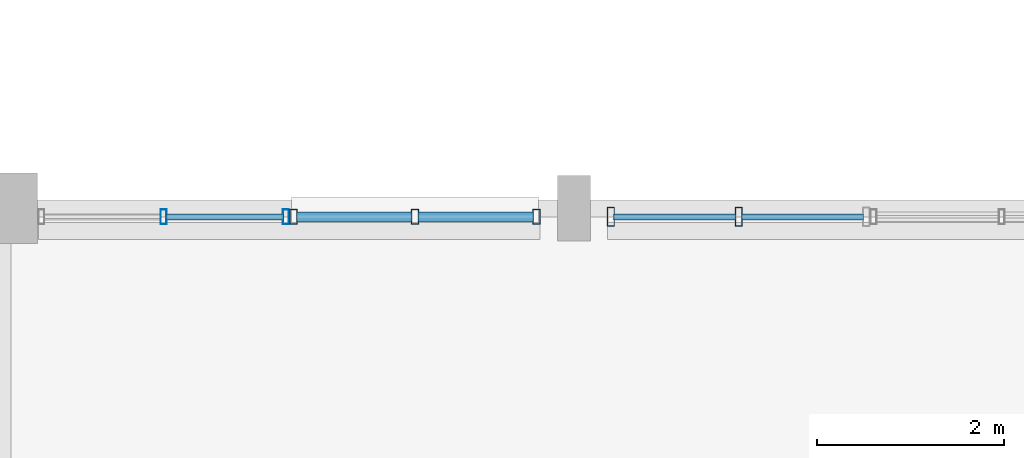
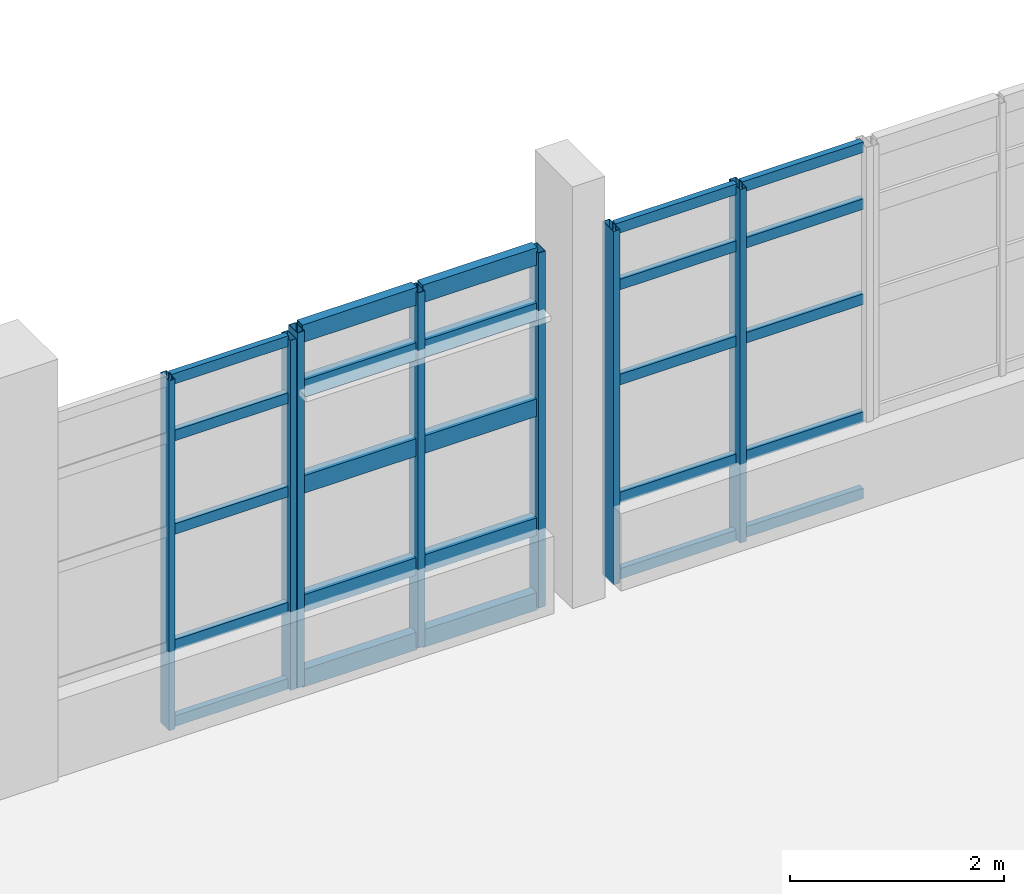
# One storey, part 75 of 127: 32 members, 3 elements without a shape of their own.
"""IFC4 building model written with IfcOpenShell, lengths in metres."""

from ifc_helpers import new_model, si_unit, derived_unit, direction, frame, origin, origin_2d, place, context, subcontext, project, spatial, hollow_rectangle, extrude, material, layer, layer_set, material_profile, profile_set, type_object, element, aggregate, save


model = new_model("IFC4")

# Units and contexts
model_context = context("Model", 3, precision=1e-05, world=origin(), true_north=direction((0.0, 1.0)))
body_context = subcontext(model_context, "Body", "Model", "MODEL_VIEW")
ifc_project = project(units=[si_unit("LENGTHUNIT", "METRE"), si_unit("AREAUNIT", "SQUARE_METRE"), si_unit("VOLUMEUNIT", "CUBIC_METRE"), si_unit("PLANEANGLEUNIT", "RADIAN"), si_unit("MASSUNIT", "GRAM", prefix="KILO"), derived_unit("THERMALTRANSMITTANCEUNIT", [(si_unit("POWERUNIT", "WATT"), 1), (si_unit("LENGTHUNIT", "METRE"), -2), (si_unit("THERMODYNAMICTEMPERATUREUNIT", "KELVIN"), -1)])], contexts=[model_context])

# Site, building, storey
site_placement = place(None, origin())
site = spatial("IfcSite", under=ifc_project, at=site_placement, CompositionType="ELEMENT")
building_placement = place(site_placement, origin())
building = spatial("IfcBuilding", under=site, at=building_placement, Name="Nallur Shell Playhouse", CompositionType="ELEMENT")
storey_placement = place(building_placement, frame((0.0, 0.0, 5.39990234375)))
storey = spatial("IfcBuildingStorey", under=building, at=storey_placement, Name="L02", CompositionType="ELEMENT", Elevation=5.39990234375)

# Curtain wall, members
ifc_material_1 = material(Name="Anodised Aluminium Double-Glazed Facade System", Category="aluminium")
ifc_layer_1 = layer(ifc_material_1, 0.16796875)
ifc_layer_set_1 = layer_set([ifc_layer_1], Name="Anodised Aluminium Double-Glazed Facade System")
curtain_wall_type_1 = type_object("IfcCurtainWallType", Name="CW-UNIT-32", PredefinedType="NOTDEFINED", material=ifc_layer_set_1)
curtain_wall_1_placement = place(storey_placement, origin())
curtain_wall_1 = element("IfcCurtainWall", 1, at=curtain_wall_1_placement, inside=storey, type_object=curtain_wall_type_1, Name="Unitised curtain wall CW-032 (L02)", PredefinedType="NOTDEFINED")
ifc_material_2 = material(Name="Aluminium Alloy 6063-T6 Mullion", Category="aluminium")
ifc_material_profile_1 = material_profile(ifc_material_2, hollow_rectangle(XDim=0.080078125, YDim=0.159912109375, WallThickness=0.006103515625, at=origin_2d()), Name="RHS 160x80x6")
ifc_profile_set_1 = profile_set([ifc_material_profile_1], Name="Aluminium Alloy 6063-T6 Mullion")
member_type_1 = type_object("IfcMemberType", Name="MB-CW-MUL150", PredefinedType="MULLION", material=ifc_profile_set_1)
member_1_placement = place(storey_placement, frame((138.507568359375, 55.909912109375, -0.014892578125), z_axis=(0.0, 0.0, 1.0), x_axis=(1.0, 0.0, 0.0)))
member_1 = element("IfcMember", 2, at=member_1_placement, type_object=member_type_1, Name="CW-32 mullion 1", PredefinedType="MULLION", context=body_context, shape_type="SweptSolid", body=[
    extrude(hollow_rectangle(XDim=0.080078125, YDim=0.159912109375, WallThickness=0.006103515625, at=origin_2d()), origin(), (0.0, 0.0, 1.0), 4.0439453125),
])
member_2_placement = place(storey_placement, frame((139.8046875, 55.909912109375, -0.014892578125), z_axis=(0.0, 0.0, 1.0), x_axis=(1.0, 0.0, 0.0)))
member_2 = element("IfcMember", 3, at=member_2_placement, type_object=member_type_1, Name="CW-32 mullion 2", PredefinedType="MULLION", context=body_context, shape_type="SweptSolid", body=[
    extrude(hollow_rectangle(XDim=0.080078125, YDim=0.159912109375, WallThickness=0.006103515625, at=origin_2d()), origin(), (0.0, 0.0, 1.0), 4.0439453125),
])
member_3_placement = place(storey_placement, frame((141.10205078125, 55.909912109375, -0.014892578125), z_axis=(0.0, 0.0, 1.0), x_axis=(1.0, 0.0, 0.0)))
member_3 = element("IfcMember", 4, at=member_3_placement, type_object=member_type_1, Name="CW-32 mullion 3", PredefinedType="MULLION", context=body_context, shape_type="SweptSolid", body=[
    extrude(hollow_rectangle(XDim=0.080078125, YDim=0.159912109375, WallThickness=0.006103515625, at=origin_2d()), origin(), (0.0, 0.0, 1.0), 4.0439453125),
])

ifc_layer_2 = layer(ifc_material_1, 0.1640625)
ifc_layer_set_2 = layer_set([ifc_layer_2], Name="Anodised Aluminium Double-Glazed Facade System")
curtain_wall_type_2 = type_object("IfcCurtainWallType", Name="CW-UNIT-31", PredefinedType="NOTDEFINED", material=ifc_layer_set_2)
curtain_wall_2_placement = place(storey_placement, origin())
curtain_wall_2 = element("IfcCurtainWall", 5, at=curtain_wall_2_placement, inside=storey, type_object=curtain_wall_type_2, Name="Unitised curtain wall CW-031 (L02)", PredefinedType="NOTDEFINED")
ifc_material_profile_2 = material_profile(ifc_material_2, hollow_rectangle(XDim=0.06494140625, YDim=0.159912109375, WallThickness=0.00390625, at=origin_2d()), Name="ALU 65x160x4")
ifc_profile_set_2 = profile_set([ifc_material_profile_2], Name="Aluminium Alloy 6063-T6 Mullion")
member_type_2 = type_object("IfcMemberType", Name="MB-CW-MUL160", PredefinedType="MULLION", material=ifc_profile_set_2)
member_4_placement = place(storey_placement, frame((137.120361328125, 55.909912109375, -0.014892578125), z_axis=(0.0, 0.0, 1.0), x_axis=(1.0, 0.0, 0.0)))
member_4 = element("IfcMember", 6, at=member_4_placement, type_object=member_type_2, Name="CW-31 mullion 2", PredefinedType="MULLION", context=body_context, shape_type="SweptSolid", body=[
    extrude(hollow_rectangle(XDim=0.06494140625, YDim=0.159912109375, WallThickness=0.00390625, at=origin_2d()), origin(), (0.0, 0.0, 1.0), 3.98388671875),
])
member_5_placement = place(storey_placement, frame((138.425048828125, 55.909912109375, -0.014892578125), z_axis=(0.0, 0.0, 1.0), x_axis=(1.0, 0.0, 0.0)))
member_5 = element("IfcMember", 7, at=member_5_placement, type_object=member_type_2, Name="CW-31 mullion 3", PredefinedType="MULLION", context=body_context, shape_type="SweptSolid", body=[
    extrude(hollow_rectangle(XDim=0.06494140625, YDim=0.159912109375, WallThickness=0.00390625, at=origin_2d()), origin(), (0.0, 0.0, 1.0), 3.98388671875),
])

ifc_layer_3 = layer(ifc_material_1, 0.1640625)
ifc_layer_set_3 = layer_set([ifc_layer_3], Name="Anodised Aluminium Double-Glazed Facade System")
curtain_wall_type_3 = type_object("IfcCurtainWallType", Name="CW-UNIT-01", PredefinedType="NOTDEFINED", material=ifc_layer_set_3)
curtain_wall_3_placement = place(storey_placement, origin())
curtain_wall_3 = element("IfcCurtainWall", 8, at=curtain_wall_3_placement, inside=storey, type_object=curtain_wall_type_3, Name="Unitised curtain wall CW-033 (L02)", PredefinedType="NOTDEFINED")
ifc_material_profile_3 = material_profile(ifc_material_2, hollow_rectangle(XDim=0.074951171875, YDim=0.199951171875, WallThickness=0.0048828125, at=origin_2d()), Name="ALU 75x200x5")
ifc_profile_set_3 = profile_set([ifc_material_profile_3], Name="Aluminium Alloy 6063-T6 Mullion")
member_type_3 = type_object("IfcMemberType", Name="MB-CW-MUL180", PredefinedType="MULLION", material=ifc_profile_set_3)
member_6_placement = place(storey_placement, frame((141.8955078125, 55.909912109375, -0.014892578125), z_axis=(0.0, 0.0, 1.0), x_axis=(1.0, 0.0, 0.0)))
member_6 = element("IfcMember", 9, at=member_6_placement, type_object=member_type_3, Name="CW-01 mullion 1", PredefinedType="MULLION", context=body_context, shape_type="SweptSolid", body=[
    extrude(hollow_rectangle(XDim=0.074951171875, YDim=0.199951171875, WallThickness=0.0048828125, at=origin_2d()), origin(), (0.0, 0.0, 1.0), 4.02392578125),
])
member_7_placement = place(storey_placement, frame((143.2578125, 55.909912109375, -0.014892578125), z_axis=(0.0, 0.0, 1.0), x_axis=(1.0, 0.0, 0.0)))
member_7 = element("IfcMember", 10, at=member_7_placement, type_object=member_type_3, Name="CW-01 mullion 2", PredefinedType="MULLION", context=body_context, shape_type="SweptSolid", body=[
    extrude(hollow_rectangle(XDim=0.074951171875, YDim=0.199951171875, WallThickness=0.0048828125, at=origin_2d()), origin(), (0.0, 0.0, 1.0), 4.02392578125),
])

# Member
ifc_material_3 = material(Name="Aluminium Alloy 6063-T6 Transom", Category="aluminium")
ifc_material_profile_4 = material_profile(ifc_material_3, hollow_rectangle(XDim=0.06494140625, YDim=0.1201171875, WallThickness=0.00390625, at=origin_2d()), Name="ALU 65x120x4")
ifc_profile_set_4 = profile_set([ifc_material_profile_4], Name="Aluminium Alloy 6063-T6 Transom")
member_type_4 = type_object("IfcMemberType", Name="MB-CW-TRN120", PredefinedType="USERDEFINED", material=ifc_profile_set_4)
member_8_placement = place(storey_placement, frame((137.144775390625, 55.909912109375, 0.03271484375), z_axis=(1.0, 0.0, 0.0), x_axis=(0.0, 1.0, 0.0)))
member_8 = element("IfcMember", 11, at=member_8_placement, type_object=member_type_4, Name="CW-31 transom 2.1", ObjectType="TRANSOM", PredefinedType="USERDEFINED", context=body_context, shape_type="SweptSolid", body=[
    extrude(hollow_rectangle(XDim=0.06494140625, YDim=0.1201171875, WallThickness=0.00390625, at=origin_2d()), origin(), (0.0, 0.0, 1.0), 1.255615234375),
])

member_9_placement = place(storey_placement, frame((137.144775390625, 55.909912109375, 0.900146484375), z_axis=(1.0, 0.0, 0.0), x_axis=(0.0, 1.0, 0.0)))
member_9 = element("IfcMember", 12, at=member_9_placement, type_object=member_type_4, Name="CW-31 transom 2.2", ObjectType="TRANSOM", PredefinedType="USERDEFINED", context=body_context, shape_type="SweptSolid", body=[
    extrude(hollow_rectangle(XDim=0.06494140625, YDim=0.1201171875, WallThickness=0.00390625, at=origin_2d()), origin(), (0.0, 0.0, 1.0), 1.255615234375),
])

member_10_placement = place(storey_placement, frame((137.144775390625, 55.909912109375, 2.22021484375), z_axis=(1.0, 0.0, 0.0), x_axis=(0.0, 1.0, 0.0)))
member_10 = element("IfcMember", 13, at=member_10_placement, type_object=member_type_4, Name="CW-31 transom 2.3", ObjectType="TRANSOM", PredefinedType="USERDEFINED", context=body_context, shape_type="SweptSolid", body=[
    extrude(hollow_rectangle(XDim=0.06494140625, YDim=0.1201171875, WallThickness=0.00390625, at=origin_2d()), origin(), (0.0, 0.0, 1.0), 1.255615234375),
])

member_11_placement = place(storey_placement, frame((137.144775390625, 55.909912109375, 3.28515625), z_axis=(1.0, 0.0, 0.0), x_axis=(0.0, 1.0, 0.0)))
member_11 = element("IfcMember", 14, at=member_11_placement, type_object=member_type_4, Name="CW-31 transom 2.4", ObjectType="TRANSOM", PredefinedType="USERDEFINED", context=body_context, shape_type="SweptSolid", body=[
    extrude(hollow_rectangle(XDim=0.06494140625, YDim=0.1201171875, WallThickness=0.00390625, at=origin_2d()), origin(), (0.0, 0.0, 1.0), 1.255615234375),
])

member_12_placement = place(storey_placement, frame((137.144775390625, 55.909912109375, 3.9326171875), z_axis=(1.0, 0.0, 0.0), x_axis=(0.0, 1.0, 0.0)))
member_12 = element("IfcMember", 15, at=member_12_placement, type_object=member_type_4, Name="CW-31 transom 2.5", ObjectType="TRANSOM", PredefinedType="USERDEFINED", context=body_context, shape_type="SweptSolid", body=[
    extrude(hollow_rectangle(XDim=0.06494140625, YDim=0.1201171875, WallThickness=0.00390625, at=origin_2d()), origin(), (0.0, 0.0, 1.0), 1.255615234375),
])

aggregate(curtain_wall_2, [member_4, member_5, member_8, member_9, member_10, member_11, member_12])

member_13_placement = place(storey_placement, frame((141.925048828125, 55.909912109375, 0.03271484375), z_axis=(1.0, 0.0, 0.0), x_axis=(0.0, 1.0, 0.0)))
member_13 = element("IfcMember", 16, at=member_13_placement, type_object=member_type_4, Name="CW-01 transom 1.1", ObjectType="TRANSOM", PredefinedType="USERDEFINED", context=body_context, shape_type="SweptSolid", body=[
    extrude(hollow_rectangle(XDim=0.06494140625, YDim=0.1201171875, WallThickness=0.00390625, at=origin_2d()), origin(), (0.0, 0.0, 1.0), 1.30322265625),
])

member_14_placement = place(storey_placement, frame((141.925048828125, 55.909912109375, 0.900146484375), z_axis=(1.0, 0.0, 0.0), x_axis=(0.0, 1.0, 0.0)))
member_14 = element("IfcMember", 17, at=member_14_placement, type_object=member_type_4, Name="CW-01 transom 1.2", ObjectType="TRANSOM", PredefinedType="USERDEFINED", context=body_context, shape_type="SweptSolid", body=[
    extrude(hollow_rectangle(XDim=0.06494140625, YDim=0.1201171875, WallThickness=0.00390625, at=origin_2d()), origin(), (0.0, 0.0, 1.0), 1.30322265625),
])

member_15_placement = place(storey_placement, frame((141.925048828125, 55.909912109375, 2.2431640625), z_axis=(1.0, 0.0, 0.0), x_axis=(0.0, 1.0, 0.0)))
member_15 = element("IfcMember", 18, at=member_15_placement, type_object=member_type_4, Name="CW-01 transom 1.3", ObjectType="TRANSOM", PredefinedType="USERDEFINED", context=body_context, shape_type="SweptSolid", body=[
    extrude(hollow_rectangle(XDim=0.06494140625, YDim=0.1201171875, WallThickness=0.00390625, at=origin_2d()), origin(), (0.0, 0.0, 1.0), 1.30322265625),
])

member_16_placement = place(storey_placement, frame((141.925048828125, 55.909912109375, 3.3251953125), z_axis=(1.0, 0.0, 0.0), x_axis=(0.0, 1.0, 0.0)))
member_16 = element("IfcMember", 19, at=member_16_placement, type_object=member_type_4, Name="CW-01 transom 1.4", ObjectType="TRANSOM", PredefinedType="USERDEFINED", context=body_context, shape_type="SweptSolid", body=[
    extrude(hollow_rectangle(XDim=0.06494140625, YDim=0.1201171875, WallThickness=0.00390625, at=origin_2d()), origin(), (0.0, 0.0, 1.0), 1.30322265625),
])

member_17_placement = place(storey_placement, frame((141.925048828125, 55.909912109375, 3.97265625), z_axis=(1.0, 0.0, 0.0), x_axis=(0.0, 1.0, 0.0)))
member_17 = element("IfcMember", 20, at=member_17_placement, type_object=member_type_4, Name="CW-01 transom 1.5", ObjectType="TRANSOM", PredefinedType="USERDEFINED", context=body_context, shape_type="SweptSolid", body=[
    extrude(hollow_rectangle(XDim=0.06494140625, YDim=0.1201171875, WallThickness=0.00390625, at=origin_2d()), origin(), (0.0, 0.0, 1.0), 1.30322265625),
])

member_18_placement = place(storey_placement, frame((143.287353515625, 55.909912109375, 0.03271484375), z_axis=(1.0, 0.0, 0.0), x_axis=(0.0, 1.0, 0.0)))
member_18 = element("IfcMember", 21, at=member_18_placement, type_object=member_type_4, Name="CW-01 transom 2.1", ObjectType="TRANSOM", PredefinedType="USERDEFINED", context=body_context, shape_type="SweptSolid", body=[
    extrude(hollow_rectangle(XDim=0.06494140625, YDim=0.1201171875, WallThickness=0.00390625, at=origin_2d()), origin(), (0.0, 0.0, 1.0), 1.30322265625),
])

member_19_placement = place(storey_placement, frame((143.287353515625, 55.909912109375, 0.900146484375), z_axis=(1.0, 0.0, 0.0), x_axis=(0.0, 1.0, 0.0)))
member_19 = element("IfcMember", 22, at=member_19_placement, type_object=member_type_4, Name="CW-01 transom 2.2", ObjectType="TRANSOM", PredefinedType="USERDEFINED", context=body_context, shape_type="SweptSolid", body=[
    extrude(hollow_rectangle(XDim=0.06494140625, YDim=0.1201171875, WallThickness=0.00390625, at=origin_2d()), origin(), (0.0, 0.0, 1.0), 1.30322265625),
])

member_20_placement = place(storey_placement, frame((143.287353515625, 55.909912109375, 2.2431640625), z_axis=(1.0, 0.0, 0.0), x_axis=(0.0, 1.0, 0.0)))
member_20 = element("IfcMember", 23, at=member_20_placement, type_object=member_type_4, Name="CW-01 transom 2.3", ObjectType="TRANSOM", PredefinedType="USERDEFINED", context=body_context, shape_type="SweptSolid", body=[
    extrude(hollow_rectangle(XDim=0.06494140625, YDim=0.1201171875, WallThickness=0.00390625, at=origin_2d()), origin(), (0.0, 0.0, 1.0), 1.30322265625),
])

member_21_placement = place(storey_placement, frame((143.287353515625, 55.909912109375, 3.3251953125), z_axis=(1.0, 0.0, 0.0), x_axis=(0.0, 1.0, 0.0)))
member_21 = element("IfcMember", 24, at=member_21_placement, type_object=member_type_4, Name="CW-01 transom 2.4", ObjectType="TRANSOM", PredefinedType="USERDEFINED", context=body_context, shape_type="SweptSolid", body=[
    extrude(hollow_rectangle(XDim=0.06494140625, YDim=0.1201171875, WallThickness=0.00390625, at=origin_2d()), origin(), (0.0, 0.0, 1.0), 1.30322265625),
])

member_22_placement = place(storey_placement, frame((143.287353515625, 55.909912109375, 3.97265625), z_axis=(1.0, 0.0, 0.0), x_axis=(0.0, 1.0, 0.0)))
member_22 = element("IfcMember", 25, at=member_22_placement, type_object=member_type_4, Name="CW-01 transom 2.5", ObjectType="TRANSOM", PredefinedType="USERDEFINED", context=body_context, shape_type="SweptSolid", body=[
    extrude(hollow_rectangle(XDim=0.06494140625, YDim=0.1201171875, WallThickness=0.00390625, at=origin_2d()), origin(), (0.0, 0.0, 1.0), 1.30322265625),
])

aggregate(curtain_wall_3, [member_6, member_7, member_13, member_14, member_15, member_16, member_17, member_18, member_19, member_20, member_21, member_22])

ifc_material_profile_5 = material_profile(ifc_material_3, hollow_rectangle(XDim=0.10009765625, YDim=0.199951171875, WallThickness=0.008056640625, at=origin_2d()), Name="RHS 200x100x8")
ifc_profile_set_5 = profile_set([ifc_material_profile_5], Name="Aluminium Alloy 6063-T6 Transom")
member_type_5 = type_object("IfcMemberType", Name="MB-CW-TRN140", PredefinedType="USERDEFINED", material=ifc_profile_set_5)
member_23_placement = place(storey_placement, frame((138.53955078125, 55.909912109375, 0.050048828125), z_axis=(1.0, 0.0, 0.0), x_axis=(0.0, 1.0, 0.0)))
member_23 = element("IfcMember", 26, at=member_23_placement, type_object=member_type_5, Name="CW-32 transom 1.1", ObjectType="TRANSOM", PredefinedType="USERDEFINED", context=body_context, shape_type="SweptSolid", body=[
    extrude(hollow_rectangle(XDim=0.10009765625, YDim=0.199951171875, WallThickness=0.008056640625, at=origin_2d()), origin(), (0.0, 0.0, 1.0), 1.233154296875),
])

member_24_placement = place(storey_placement, frame((138.53955078125, 55.909912109375, 0.900146484375), z_axis=(1.0, 0.0, 0.0), x_axis=(0.0, 1.0, 0.0)))
member_24 = element("IfcMember", 27, at=member_24_placement, type_object=member_type_5, Name="CW-32 transom 1.2", ObjectType="TRANSOM", PredefinedType="USERDEFINED", context=body_context, shape_type="SweptSolid", body=[
    extrude(hollow_rectangle(XDim=0.10009765625, YDim=0.199951171875, WallThickness=0.008056640625, at=origin_2d()), origin(), (0.0, 0.0, 1.0), 1.233154296875),
])

member_25_placement = place(storey_placement, frame((138.53955078125, 55.909912109375, 2.254150390625), z_axis=(1.0, 0.0, 0.0), x_axis=(0.0, 1.0, 0.0)))
member_25 = element("IfcMember", 28, at=member_25_placement, type_object=member_type_5, Name="CW-32 transom 1.3", ObjectType="TRANSOM", PredefinedType="USERDEFINED", context=body_context, shape_type="SweptSolid", body=[
    extrude(hollow_rectangle(XDim=0.10009765625, YDim=0.199951171875, WallThickness=0.008056640625, at=origin_2d()), origin(), (0.0, 0.0, 1.0), 1.233154296875),
])

member_26_placement = place(storey_placement, frame((138.53955078125, 55.909912109375, 3.34521484375), z_axis=(1.0, 0.0, 0.0), x_axis=(0.0, 1.0, 0.0)))
member_26 = element("IfcMember", 29, at=member_26_placement, type_object=member_type_5, Name="CW-32 transom 1.4", ObjectType="TRANSOM", PredefinedType="USERDEFINED", context=body_context, shape_type="SweptSolid", body=[
    extrude(hollow_rectangle(XDim=0.10009765625, YDim=0.199951171875, WallThickness=0.008056640625, at=origin_2d()), origin(), (0.0, 0.0, 1.0), 1.233154296875),
])

member_27_placement = place(storey_placement, frame((138.53955078125, 55.909912109375, 3.97509765625), z_axis=(1.0, 0.0, 0.0), x_axis=(0.0, 1.0, 0.0)))
member_27 = element("IfcMember", 30, at=member_27_placement, type_object=member_type_5, Name="CW-32 transom 1.5", ObjectType="TRANSOM", PredefinedType="USERDEFINED", context=body_context, shape_type="SweptSolid", body=[
    extrude(hollow_rectangle(XDim=0.10009765625, YDim=0.199951171875, WallThickness=0.008056640625, at=origin_2d()), origin(), (0.0, 0.0, 1.0), 1.233154296875),
])

member_28_placement = place(storey_placement, frame((139.836669921875, 55.909912109375, 0.050048828125), z_axis=(1.0, 0.0, 0.0), x_axis=(0.0, 1.0, 0.0)))
member_28 = element("IfcMember", 31, at=member_28_placement, type_object=member_type_5, Name="CW-32 transom 2.1", ObjectType="TRANSOM", PredefinedType="USERDEFINED", context=body_context, shape_type="SweptSolid", body=[
    extrude(hollow_rectangle(XDim=0.10009765625, YDim=0.199951171875, WallThickness=0.008056640625, at=origin_2d()), origin(), (0.0, 0.0, 1.0), 1.2333984375),
])

member_29_placement = place(storey_placement, frame((139.836669921875, 55.909912109375, 0.900146484375), z_axis=(1.0, 0.0, 0.0), x_axis=(0.0, 1.0, 0.0)))
member_29 = element("IfcMember", 32, at=member_29_placement, type_object=member_type_5, Name="CW-32 transom 2.2", ObjectType="TRANSOM", PredefinedType="USERDEFINED", context=body_context, shape_type="SweptSolid", body=[
    extrude(hollow_rectangle(XDim=0.10009765625, YDim=0.199951171875, WallThickness=0.008056640625, at=origin_2d()), origin(), (0.0, 0.0, 1.0), 1.2333984375),
])

member_30_placement = place(storey_placement, frame((139.836669921875, 55.909912109375, 2.254150390625), z_axis=(1.0, 0.0, 0.0), x_axis=(0.0, 1.0, 0.0)))
member_30 = element("IfcMember", 33, at=member_30_placement, type_object=member_type_5, Name="CW-32 transom 2.3", ObjectType="TRANSOM", PredefinedType="USERDEFINED", context=body_context, shape_type="SweptSolid", body=[
    extrude(hollow_rectangle(XDim=0.10009765625, YDim=0.199951171875, WallThickness=0.008056640625, at=origin_2d()), origin(), (0.0, 0.0, 1.0), 1.2333984375),
])

member_31_placement = place(storey_placement, frame((139.836669921875, 55.909912109375, 3.34521484375), z_axis=(1.0, 0.0, 0.0), x_axis=(0.0, 1.0, 0.0)))
member_31 = element("IfcMember", 34, at=member_31_placement, type_object=member_type_5, Name="CW-32 transom 2.4", ObjectType="TRANSOM", PredefinedType="USERDEFINED", context=body_context, shape_type="SweptSolid", body=[
    extrude(hollow_rectangle(XDim=0.10009765625, YDim=0.199951171875, WallThickness=0.008056640625, at=origin_2d()), origin(), (0.0, 0.0, 1.0), 1.2333984375),
])

member_32_placement = place(storey_placement, frame((139.836669921875, 55.909912109375, 3.97509765625), z_axis=(1.0, 0.0, 0.0), x_axis=(0.0, 1.0, 0.0)))
member_32 = element("IfcMember", 35, at=member_32_placement, type_object=member_type_5, Name="CW-32 transom 2.5", ObjectType="TRANSOM", PredefinedType="USERDEFINED", context=body_context, shape_type="SweptSolid", body=[
    extrude(hollow_rectangle(XDim=0.10009765625, YDim=0.199951171875, WallThickness=0.008056640625, at=origin_2d()), origin(), (0.0, 0.0, 1.0), 1.2333984375),
])

aggregate(curtain_wall_1, [member_1, member_2, member_3, member_23, member_24, member_25, member_26, member_27, member_28, member_29, member_30, member_31, member_32])

save(model, "model.ifc")
